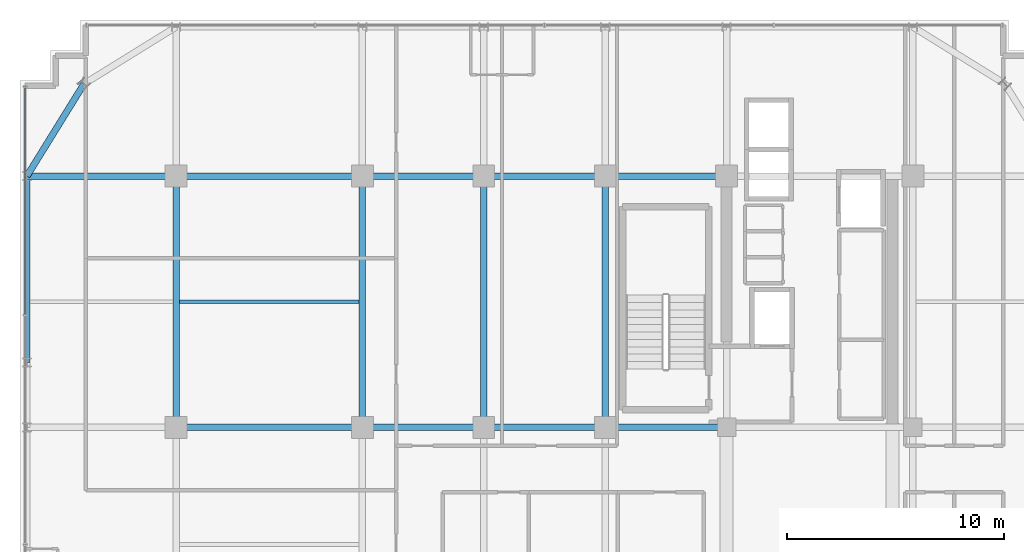
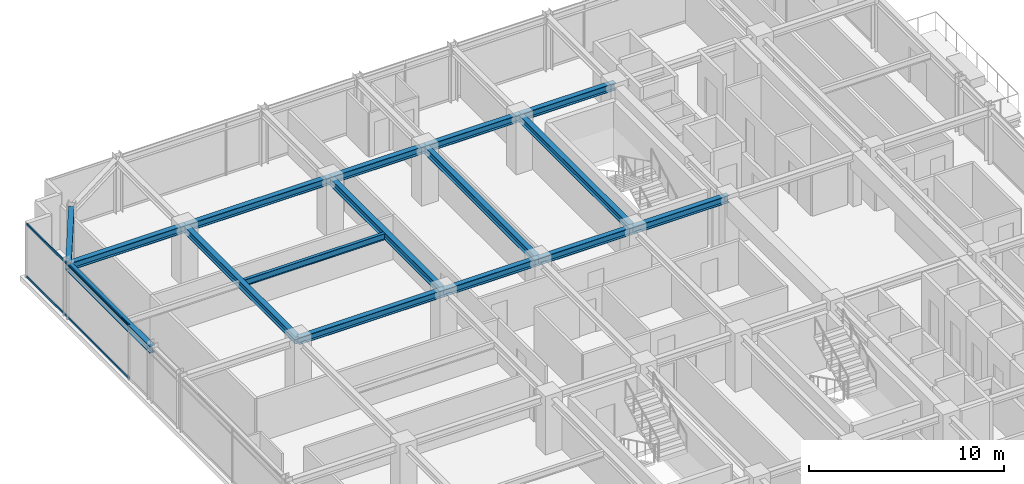
# One storey, part 19 of 36: 16 beams, 2 members, 1 element without a shape of its own.
"""IFC4 building model written with IfcOpenShell, lengths in metres."""

from ifc_helpers import new_model, si_unit, direction, frame, origin, origin_2d, place, context, subcontext, project, spatial, hollow_rectangle, i_section, extrude, source, transform, mapped, material, material_profile, profile_set, type_object, element, aggregate, save


model = new_model("IFC4")

# Units and contexts
model_context = context("Model", 3, precision=1e-05, world=origin(), true_north=direction((0.0, 1.0)))
body_context = subcontext(model_context, "Body", "Model", "MODEL_VIEW")
ifc_project = project(units=[si_unit("LENGTHUNIT", "METRE"), si_unit("AREAUNIT", "SQUARE_METRE"), si_unit("VOLUMEUNIT", "CUBIC_METRE"), si_unit("PLANEANGLEUNIT", "RADIAN"), si_unit("MASSUNIT", "GRAM", prefix="KILO")], contexts=[model_context])

# Site, building, storey
site_placement = place(None, origin())
site = spatial("IfcSite", under=ifc_project, at=site_placement, CompositionType="ELEMENT")
building_placement = place(site_placement, origin())
building = spatial("IfcBuilding", under=site, at=building_placement, Name="Nahalor Promenade Grand Hotel", CompositionType="ELEMENT")
storey_placement = place(building_placement, frame((0.0, 0.0, 223.39990234375)))
storey = spatial("IfcBuildingStorey", under=building, at=storey_placement, Name="L57", CompositionType="ELEMENT", Elevation=223.39990234375)

# Beams
ifc_material_1 = material(Name="Steel S355JR", Category="steel")
ifc_material_profile_1 = material_profile(ifc_material_1, i_section(OverallWidth=0.3, OverallDepth=0.45, WebThickness=0.014, FlangeThickness=0.026, at=origin_2d()), Name="HEB 450")
ifc_profile_set_1 = profile_set([ifc_material_profile_1], Name="Steel S355JR")
beam_type_1 = type_object("IfcBeamType", Name="Beam-Spandrel-HEB450", PredefinedType="SPANDREL", material=ifc_profile_set_1)
shared_shape_1 = source(origin(), body_context, "Body", "SweptSolid", [
    extrude(i_section(OverallWidth=0.3, OverallDepth=0.45, WebThickness=0.014, FlangeThickness=0.026, at=origin_2d()), origin(), (0.0, 0.0, 1.0), 8.60009765625),
])
beam_1_placement = place(storey_placement, frame((-23.8798828125, 8.39990234375, 3.18505859375), z_axis=(0.0, 1.0, 0.0), x_axis=(-1.0, 0.0, 0.0)))
element("IfcBeam", 1, at=beam_1_placement, inside=storey, type_object=beam_type_1, Name="BM-L57-SP-W-4", PredefinedType="SPANDREL", context=body_context, shape_type="MappedRepresentation", body=[
    mapped(shared_shape_1, transform((0.0, 0.0, 0.0), scale=1.0)),
])
shared_shape_2 = source(origin(), body_context, "Body", "SweptSolid", [
    extrude(i_section(OverallWidth=0.3, OverallDepth=0.45, WebThickness=0.014, FlangeThickness=0.026, at=origin_2d()), origin(), (0.0, 0.0, 1.0), 4.997802734375),
])
beam_2_placement = place(storey_placement, frame((-21.25, 21.25, 3.18505859375), z_axis=(-0.526199891161, -0.850360908404, 0.0), x_axis=(0.850360908404, -0.526199891161, 0.0)))
element("IfcBeam", 2, at=beam_2_placement, inside=storey, type_object=beam_type_1, Name="BM-L57-SPC-NW-2", PredefinedType="SPANDREL", context=body_context, shape_type="MappedRepresentation", body=[
    mapped(shared_shape_2, transform((0.0, 0.0, 0.0), scale=1.0)),
])
ifc_material_profile_2 = material_profile(ifc_material_1, i_section(OverallWidth=0.3, OverallDepth=0.45, WebThickness=0.014, FlangeThickness=0.026, at=origin_2d()), Name="HEB 450")
ifc_profile_set_2 = profile_set([ifc_material_profile_2], Name="Steel S355JR")
beam_type_2 = type_object("IfcBeamType", Name="Beam-Girder-HEB450", PredefinedType="BEAM", material=ifc_profile_set_2)
shared_shape_3 = source(origin(), body_context, "Body", "SweptSolid", [
    extrude(i_section(OverallWidth=0.3, OverallDepth=0.45, WebThickness=0.014, FlangeThickness=0.026, at=origin_2d()), origin(), (0.0, 0.0, 1.0), 6.8798828125),
])
beam_3_placement = place(storey_placement, frame((-23.8798828125, 17.0, 3.18505859375), z_axis=(1.0, 0.0, 0.0), x_axis=(0.0, 1.0, 0.0)))
element("IfcBeam", 3, at=beam_3_placement, inside=storey, type_object=beam_type_2, Name="BM-L57-GX-3-0", PredefinedType="BEAM", context=body_context, shape_type="MappedRepresentation", body=[
    mapped(shared_shape_3, transform((0.0, 0.0, 0.0), scale=1.0)),
])
shared_shape_4 = source(origin(), body_context, "Body", "SweptSolid", [
    extrude(i_section(OverallWidth=0.3, OverallDepth=0.45, WebThickness=0.014, FlangeThickness=0.026, at=origin_2d()), origin(), (0.0, 0.0, 1.0), 8.60009765625),
])
for number, where, z_axis, x_axis, name in (
    (4, (-17.0, 5.39990234375, 3.18505859375), (1.0, 0.0, 0.0), (0.0, 1.0, 0.0), "BM-L57-GX-2-1"),
    (5, (-17.0, 17.0, 3.18505859375), (1.0, 0.0, 0.0), (0.0, 1.0, 0.0), "BM-L57-GX-3-1"),
):
    element("IfcBeam", number, at=place(storey_placement, frame(where, z_axis=z_axis, x_axis=x_axis)), inside=storey, type_object=beam_type_2, Name=name, PredefinedType="BEAM", context=body_context, shape_type="MappedRepresentation", body=[
        mapped(shared_shape_4, transform((0.0, 0.0, 0.0), scale=1.0)),
    ])
shared_shape_5 = source(origin(), body_context, "Body", "SweptSolid", [
    extrude(i_section(OverallWidth=0.3, OverallDepth=0.45, WebThickness=0.014, FlangeThickness=0.026, at=origin_2d()), origin(), (0.0, 0.0, 1.0), 5.599853515625),
])
for number, where, z_axis, x_axis, name in (
    (6, (-8.39990234375, 5.39990234375, 3.18505859375), (1.0, 0.0, 0.0), (0.0, 1.0, 0.0), "BM-L57-GX-2-2"),
    (7, (2.800048828125, 5.39990234375, 3.18505859375), (1.0, 0.0, 0.0), (0.0, 1.0, 0.0), "BM-L57-GX-2-4"),
    (8, (-8.39990234375, 17.0, 3.18505859375), (1.0, 0.0, 0.0), (0.0, 1.0, 0.0), "BM-L57-GX-3-2"),
    (9, (2.800048828125, 17.0, 3.18505859375), (1.0, 0.0, 0.0), (0.0, 1.0, 0.0), "BM-L57-GX-3-4"),
):
    element("IfcBeam", number, at=place(storey_placement, frame(where, z_axis=z_axis, x_axis=x_axis)), inside=storey, type_object=beam_type_2, Name=name, PredefinedType="BEAM", context=body_context, shape_type="MappedRepresentation", body=[
        mapped(shared_shape_5, transform((0.0, 0.0, 0.0), scale=1.0)),
    ])
shared_shape_6 = source(origin(), body_context, "Body", "SweptSolid", [
    extrude(i_section(OverallWidth=0.3, OverallDepth=0.45, WebThickness=0.014, FlangeThickness=0.026, at=origin_2d()), origin(), (0.0, 0.0, 1.0), 5.60009765625),
])
for number, where, z_axis, x_axis, name in (
    (10, (-2.800048828125, 5.39990234375, 3.18505859375), (1.0, 0.0, 0.0), (0.0, 1.0, 0.0), "BM-L57-GX-2-3"),
    (11, (-2.800048828125, 17.0, 3.18505859375), (1.0, 0.0, 0.0), (0.0, 1.0, 0.0), "BM-L57-GX-3-3"),
):
    element("IfcBeam", number, at=place(storey_placement, frame(where, z_axis=z_axis, x_axis=x_axis)), inside=storey, type_object=beam_type_2, Name=name, PredefinedType="BEAM", context=body_context, shape_type="MappedRepresentation", body=[
        mapped(shared_shape_6, transform((0.0, 0.0, 0.0), scale=1.0)),
    ])
shared_shape_7 = source(origin(), body_context, "Body", "SweptSolid", [
    extrude(i_section(OverallWidth=0.3, OverallDepth=0.45, WebThickness=0.014, FlangeThickness=0.026, at=origin_2d()), origin(), (0.0, 0.0, 1.0), 11.60009765625),
])
for number, where, z_axis, x_axis, name in (
    (12, (-17.0, 5.39990234375, 3.18505859375), (0.0, 1.0, 0.0), (-1.0, 0.0, 0.0), "BM-L57-GY-0-3"),
    (13, (-8.39990234375, 5.39990234375, 3.18505859375), (0.0, 1.0, 0.0), (-1.0, 0.0, 0.0), "BM-L57-GY-1-3"),
    (14, (-2.800048828125, 5.39990234375, 3.18505859375), (0.0, 1.0, 0.0), (-1.0, 0.0, 0.0), "BM-L57-GY-2-3"),
    (15, (2.800048828125, 5.39990234375, 3.18505859375), (0.0, 1.0, 0.0), (-1.0, 0.0, 0.0), "BM-L57-GY-3-3"),
):
    element("IfcBeam", number, at=place(storey_placement, frame(where, z_axis=z_axis, x_axis=x_axis)), inside=storey, type_object=beam_type_2, Name=name, PredefinedType="BEAM", context=body_context, shape_type="MappedRepresentation", body=[
        mapped(shared_shape_7, transform((0.0, 0.0, 0.0), scale=1.0)),
    ])
ifc_material_profile_3 = material_profile(ifc_material_1, i_section(OverallWidth=0.18, OverallDepth=0.4, WebThickness=0.0086, FlangeThickness=0.0135, at=origin_2d()), Name="IPE 400")
ifc_profile_set_3 = profile_set([ifc_material_profile_3], Name="Steel S355JR")
beam_type_3 = type_object("IfcBeamType", Name="Beam-Joist-IPE400", PredefinedType="JOIST", material=ifc_profile_set_3)
shared_shape_8 = source(origin(), body_context, "Body", "SweptSolid", [
    extrude(i_section(OverallWidth=0.18, OverallDepth=0.4, WebThickness=0.0086, FlangeThickness=0.0135, at=origin_2d()), origin(), (0.0, 0.0, 1.0), 8.300048828125),
])
beam_4_placement = place(storey_placement, frame((-16.85009765625, 11.199951171875, 3.210205078125), z_axis=(1.0, 0.0, 0.0), x_axis=(0.0, 1.0, 0.0)))
element("IfcBeam", 16, at=beam_4_placement, inside=storey, type_object=beam_type_3, Name="BM-L57-JSW-1-1", PredefinedType="JOIST", context=body_context, shape_type="MappedRepresentation", body=[
    mapped(shared_shape_8, transform((0.0, 0.0, 0.0), scale=1.0)),
])

# Curtain wall, members
ifc_material_2 = material(Name="Anodised Bronze Aluminium EN AW-6063 T6", Category="aluminium")
curtain_wall_type = type_object("IfcCurtainWallType", Name="CW2 Typical Hotel Flush Bronze Unitised Curtain Wall", PredefinedType="USERDEFINED", material=ifc_material_2)
curtain_wall_placement = place(storey_placement, origin())
curtain_wall = element("IfcCurtainWall", 17, at=curtain_wall_placement, inside=storey, type_object=curtain_wall_type, Name="L57 Curtain Wall CW-L57-W-1", ObjectType="UNITISED_CURTAIN_WALL", PredefinedType="USERDEFINED")
ifc_material_profile_4 = material_profile(ifc_material_2, hollow_rectangle(XDim=0.065, YDim=0.13, WallThickness=0.004, at=origin_2d()), Name="CWT 65x130x4")
ifc_profile_set_4 = profile_set([ifc_material_profile_4], Name="Anodised Bronze Aluminium EN AW-6063 T6")
member_type = type_object("IfcMemberType", Name="CWT2 Typical Bronze Transom 65x130", PredefinedType="USERDEFINED", material=ifc_profile_set_4)
shared_shape_9 = source(origin(), body_context, "Body", "SweptSolid", [
    extrude(hollow_rectangle(XDim=0.065, YDim=0.13, WallThickness=0.004, at=origin_2d()), origin(), (0.0, 0.0, 1.0), 10.482421875),
])
member_1_placement = place(storey_placement, frame((-23.9599609375, 10.612548828125, 0.065185546875), z_axis=(0.0, 1.0, 0.0), x_axis=(-1.0, 0.0, 0.0)))
member_1 = element("IfcMember", 18, at=member_1_placement, type_object=member_type, Name="CW-L57-W-1 Transom 3-0", ObjectType="TRANSOM", PredefinedType="USERDEFINED", context=body_context, shape_type="MappedRepresentation", body=[
    mapped(shared_shape_9, transform((0.0, 0.0, 0.0), scale=1.0)),
])
member_2_placement = place(storey_placement, frame((-23.9599609375, 10.612548828125, 3.34521484375), z_axis=(0.0, 1.0, 0.0), x_axis=(-1.0, 0.0, 0.0)))
member_2 = element("IfcMember", 19, at=member_2_placement, type_object=member_type, Name="CW-L57-W-1 Transom 3-1", ObjectType="TRANSOM", PredefinedType="USERDEFINED", context=body_context, shape_type="MappedRepresentation", body=[
    mapped(shared_shape_9, transform((0.0, 0.0, 0.0), scale=1.0)),
])
aggregate(curtain_wall, [member_1, member_2])

save(model, "model.ifc")
